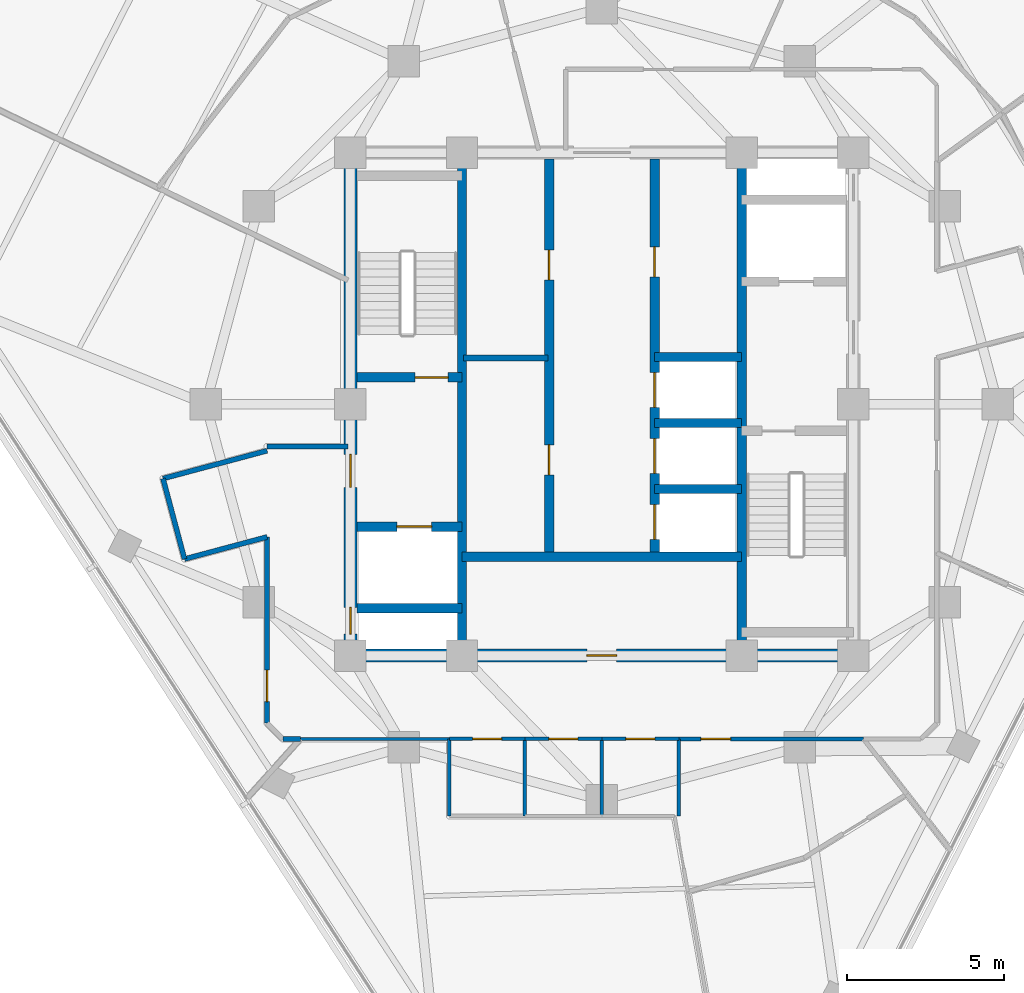
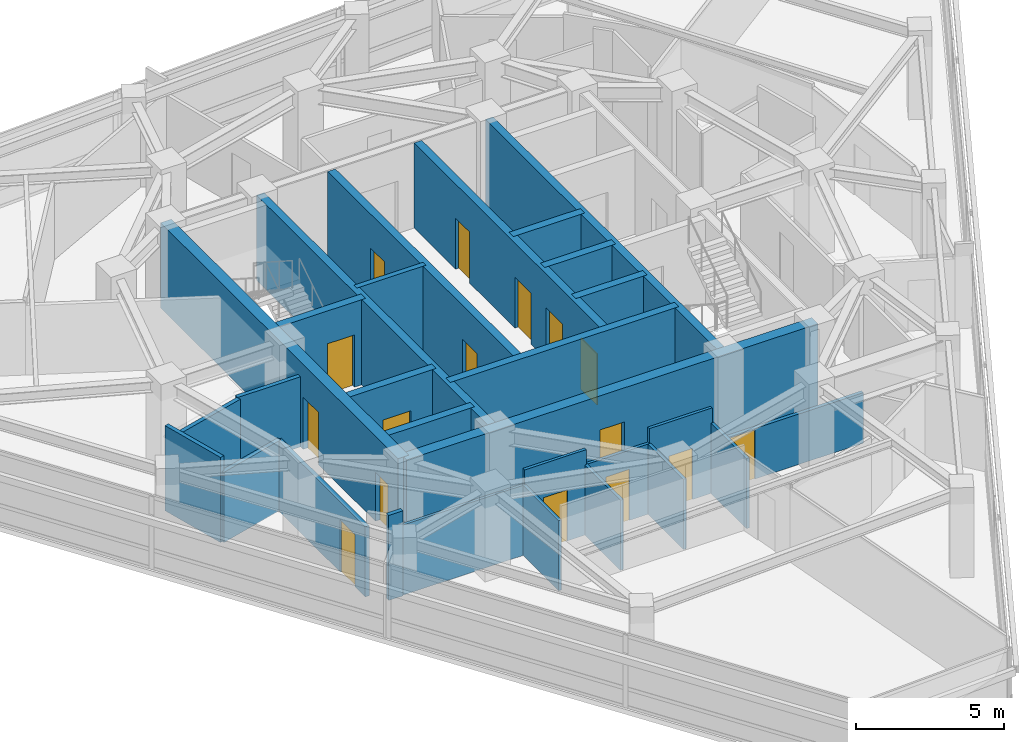
# One storey, part 8 of 15: 29 walls, 16 doors, 16 openings.
"""IFC4 building model written with IfcOpenShell, lengths in metres."""

import ifcopenshell
import ifcopenshell.guid

model = None  # the IFC model being written
_history = None  # IfcOwnerHistory: only IFC2X3 demands one
_inside = {}  # id of a spatial element -> (the spatial element, [elements in it])
_under = {}  # id of a project, library or spatial element -> (it, [spatial elements below it])
_declared = {}  # id of a project -> (the project, [libraries it declares])
_typed = {}  # id of a type object -> (the type object, [elements of that type])
_made_of = {}  # id of a material, layer set ... -> (it, [elements and type objects made of it])


def new_model(schema):
    """Start an empty IFC model of exactly this schema.

    Asked for "IFC4X3", IfcOpenShell would pick the latest addendum, in which some entities
    have other attributes; the version numbers below select the first issue.
    IFC2X3 requires an IfcOwnerHistory on every rooted entity: one is made here for all.
    """
    global model, _history
    if schema == "IFC4X3":
        model = ifcopenshell.file(schema_version=(4, 3, 0, 0))
    else:
        model = ifcopenshell.file(schema=schema)
    _inside.clear()
    _under.clear()
    _declared.clear()
    _typed.clear()
    _made_of.clear()
    _history = None
    if model.schema == "IFC2X3":
        org = make("IfcOrganization", Name="unknown")
        user = make(
            "IfcPersonAndOrganization",
            ThePerson=make("IfcPerson", FamilyName="unknown"),
            TheOrganization=org,
        )
        app = make(
            "IfcApplication",
            ApplicationDeveloper=org,
            Version="unknown",
            ApplicationFullName="unknown",
            ApplicationIdentifier="unknown",
        )
        _history = make(
            "IfcOwnerHistory",
            OwningUser=user,
            OwningApplication=app,
            ChangeAction="ADDED",
            CreationDate=0,
        )
    return model


def make(cls, **values):
    """One entity of the class cls with the attributes given. An attribute that is None is left unset."""
    return model.create_entity(
        cls, **{name: value for name, value in values.items() if value is not None}
    )


def rooted(cls, **values):
    """An entity with a GlobalId (a new one), such as an element, a storey or a relation."""
    return make(cls, GlobalId=ifcopenshell.guid.new(), OwnerHistory=_history, **values)


def si_unit(unit_type, name, prefix=None):
    """IfcSIUnit, for example si_unit("LENGTHUNIT", "METRE", prefix="MILLI")."""
    return make("IfcSIUnit", UnitType=unit_type, Prefix=prefix, Name=name)


def assignment(units):
    """IfcUnitAssignment: the units of a project."""
    return None if units is None else make("IfcUnitAssignment", Units=units)


def point(xyz):
    """IfcCartesianPoint."""
    return None if xyz is None else make("IfcCartesianPoint", Coordinates=xyz)


def direction(xyz):
    """IfcDirection."""
    return None if xyz is None else make("IfcDirection", DirectionRatios=xyz)


def frame(location, z_axis=None, x_axis=None):
    """IfcAxis2Placement3D, a coordinate frame: its origin and axes. An axis left out is left unset."""
    return make(
        "IfcAxis2Placement3D",
        Location=point(location),
        Axis=direction(z_axis),
        RefDirection=direction(x_axis),
    )


def frame_2d(location, x_axis=None):
    """IfcAxis2Placement2D, a coordinate frame in the plane: its origin and x axis."""
    return make(
        "IfcAxis2Placement2D", Location=point(location), RefDirection=direction(x_axis)
    )


def origin():
    """The frame at (0, 0, 0) with its axes left unset."""
    return frame((0.0, 0.0, 0.0))


def place(relative_to, where):
    """IfcLocalPlacement: puts the frame where relative to a parent placement (None: the world)."""
    return make(
        "IfcLocalPlacement", PlacementRelTo=relative_to, RelativePlacement=where
    )


def context(
    kind, dimensions, precision=None, world=None, true_north=None, identifier=None
):
    """IfcGeometricRepresentationContext, for example the 3D "Model" context."""
    return make(
        "IfcGeometricRepresentationContext",
        ContextIdentifier=identifier,
        ContextType=kind,
        CoordinateSpaceDimension=dimensions,
        Precision=precision,
        WorldCoordinateSystem=world,
        TrueNorth=true_north,
    )


def subcontext(parent, identifier, kind, view, scale=None):
    """IfcGeometricRepresentationSubContext, for example "Body" below "Model"."""
    return make(
        "IfcGeometricRepresentationSubContext",
        ContextIdentifier=identifier,
        ContextType=kind,
        ParentContext=parent,
        TargetScale=scale,
        TargetView=view,
    )


def project(units=None, contexts=None):
    """IfcProject with its units and contexts."""
    return rooted(
        "IfcProject",
        Name="project",
        RepresentationContexts=contexts,
        UnitsInContext=assignment(units),
    )


def spatial(cls, under=None, at=None, **own):
    """A site, building, storey or space (cls), placed at a placement, below another one or the project."""
    s = rooted(cls, ObjectPlacement=at, **own)
    if under is not None:
        _under.setdefault(under.id(), (under, []))[1].append(s)
    return s


def profile(cls, at=None, kind="AREA", **sizes):
    """A parametric profile (cls). Its sizes go by their IFC names, for example OverallWidth=200.0."""
    return make(cls, ProfileType=kind, Position=at, **sizes)


def rectangle(**sizes):
    """IfcRectangleProfileDef."""
    return profile("IfcRectangleProfileDef", **sizes)


def extrude(swept, where, along, depth):
    """IfcExtrudedAreaSolid: the profile swept, set in the frame where, extruded along a direction by depth."""
    return make(
        "IfcExtrudedAreaSolid",
        SweptArea=swept,
        Position=where,
        ExtrudedDirection=direction(along),
        Depth=depth,
    )


def shape(context_of_items, identifier, shape_type, items):
    """IfcShapeRepresentation: the items that make up one representation, for example the "Body"."""
    return make(
        "IfcShapeRepresentation",
        ContextOfItems=context_of_items,
        RepresentationIdentifier=identifier,
        RepresentationType=shape_type,
        Items=items,
    )


def material(Name=None, Category=None):
    """IfcMaterial."""
    return make("IfcMaterial", Name=Name, Category=Category)


def layer(
    of_material, thickness, ventilated=None, Name=None, Category=None, Priority=None
):
    """IfcMaterialLayer: one layer of a wall or slab, of a material (None: an air gap)."""
    return make(
        "IfcMaterialLayer",
        Material=of_material,
        LayerThickness=thickness,
        IsVentilated=ventilated,
        Name=Name,
        Category=Category,
        Priority=Priority,
    )


def layer_set(layers, Name=None):
    """IfcMaterialLayerSet."""
    return make("IfcMaterialLayerSet", MaterialLayers=layers, LayerSetName=Name)


def made_of(thing, what):
    """Note that an element or type object is made of a material, layer set ...; save() writes the relation."""
    if what is not None:
        _made_of.setdefault(what.id(), (what, []))[1].append(thing)
    return thing


def type_object(cls, material=None, **own):
    """A type object (cls), such as IfcWallType, which elements share."""
    return made_of(rooted(cls, **own), material)


def element(
    cls,
    number,
    at=None,
    inside=None,
    cuts=None,
    type_object=None,
    material=None,
    context=None,
    identifier="Body",
    shape_type=None,
    held_by="IfcProductDefinitionShape",
    body=None,
    shapes=None,
    **own,
):
    """One element of the class cls, such as IfcWall. Its Tag is "e" and its number.

    at: its placement. inside: the storey or other place that contains it. cuts: it is an
    opening in that element (IfcRelVoidsElement). A single representation is given by context,
    identifier, shape_type and body (its items); several are given by shapes. held_by: the class
    of the entity that holds the representations. save() writes the other relations.
    """
    e = rooted(cls, Tag="e%d" % number, ObjectPlacement=at, **own)
    if body is not None:
        shapes = [shape(context, identifier, shape_type, body)]
    if shapes is not None:
        e.Representation = make(held_by, Representations=shapes)
    if inside is not None:
        _inside.setdefault(inside.id(), (inside, []))[1].append(e)
    if cuts is not None:
        rooted(
            "IfcRelVoidsElement", RelatingBuildingElement=cuts, RelatedOpeningElement=e
        )
    if type_object is not None:
        _typed.setdefault(type_object.id(), (type_object, []))[1].append(e)
    return made_of(e, material)


def fill(opening, filler):
    """IfcRelFillsElement: the door or window that sits in an opening."""
    return rooted(
        "IfcRelFillsElement",
        RelatingOpeningElement=opening,
        RelatedBuildingElement=filler,
    )


def aggregate(whole, parts):
    """IfcRelAggregates: a whole, such as a stair, and the parts it consists of."""
    return rooted("IfcRelAggregates", RelatingObject=whole, RelatedObjects=parts)


def save(model, path):
    """Write the relations noted so far, then the file.

    IfcRelAggregates (storeys below a building ...), IfcRelContainedInSpatialStructure (elements
    in a storey), IfcRelDefinesByType, IfcRelAssociatesMaterial and IfcRelDeclares: one each for
    every whole, place, type object, material and project.
    """
    for whole, parts in _under.values():
        aggregate(whole, parts)
    for where, things in _inside.values():
        rooted(
            "IfcRelContainedInSpatialStructure",
            RelatedElements=things,
            RelatingStructure=where,
        )
    for kind, things in _typed.values():
        rooted("IfcRelDefinesByType", RelatedObjects=things, RelatingType=kind)
    for what, things in _made_of.values():
        rooted("IfcRelAssociatesMaterial", RelatedObjects=things, RelatingMaterial=what)
    for by, libraries in _declared.values():
        rooted("IfcRelDeclares", RelatingContext=by, RelatedDefinitions=libraries)
    model.write(path)


model = new_model("IFC4")

# Units and contexts
model_context = context("Model", 3, precision=1e-05, world=origin(), true_north=direction((0.0, 1.0)))
body_context = subcontext(model_context, "Body", "Model", "MODEL_VIEW")
ifc_project = project(units=[si_unit("LENGTHUNIT", "METRE"), si_unit("AREAUNIT", "SQUARE_METRE"), si_unit("VOLUMEUNIT", "CUBIC_METRE"), si_unit("PLANEANGLEUNIT", "RADIAN"), si_unit("MASSUNIT", "GRAM", prefix="KILO")], contexts=[model_context])

# Site, building, storey
site_placement = place(None, origin())
site = spatial("IfcSite", under=ifc_project, at=site_placement, CompositionType="ELEMENT")
building_placement = place(site_placement, origin())
building = spatial("IfcBuilding", under=site, at=building_placement, Name="Terralouvre Media Tower", CompositionType="ELEMENT")
storey_placement = place(building_placement, frame((0.0, 0.0, 248.5)))
storey = spatial("IfcBuildingStorey", under=building, at=storey_placement, Name="L64", CompositionType="ELEMENT", Elevation=248.5)

# Walls
ifc_material_1 = material(Name="Concrete C50/60", Category="concrete")
ifc_layer_1 = layer(ifc_material_1, 0.300048828125, Name="Core Internal Shaft Wall CW-300")
ifc_layer_set_1 = layer_set([ifc_layer_1], Name="Concrete C50/60")
wall_type_1 = type_object("IfcWallType", Name="Core Internal Shaft Wall CW-300", PredefinedType="SHEAR", material=ifc_layer_set_1)
for number, where, z_axis, x_axis, name in (
    (1, (-4.449951171875, -7.7900390625, 0.0), (0.0, 0.0, 1.0), (0.0, 1.0, 0.0), "L64 Core Shaft Wall SPW"),
    (2, (4.449951171875, -7.7900390625, 0.0), (0.0, 0.0, 1.0), (0.0, 1.0, 0.0), "L64 Core Shaft Wall SPE"),
):
    element("IfcWall", number, at=place(storey_placement, frame(where, z_axis=z_axis, x_axis=x_axis)), inside=storey, type_object=wall_type_1, Name=name, PredefinedType="SHEAR", context=body_context, shape_type="SweptSolid", body=[
        extrude(rectangle(XDim=15.580078125, YDim=0.300048828125, at=frame_2d((7.7900390625, 0.0))), origin(), (0.0, 0.0, 1.0), 3.5),
    ])

# Wall, opening, door
wall_1_placement = place(storey_placement, frame((-7.7900390625, 0.85009765625, 0.0), z_axis=(0.0, 0.0, 1.0), x_axis=(1.0, 0.0, 0.0)))
wall_1 = element("IfcWall", 3, at=wall_1_placement, inside=storey, type_object=wall_type_1, Name="L64 Core Shaft Wall ST1D", PredefinedType="SHEAR", context=body_context, shape_type="SweptSolid", body=[
    extrude(rectangle(XDim=3.340087890625, YDim=0.300048828125, at=frame_2d((1.669921875, 0.0))), origin(), (0.0, 0.0, 1.0), 3.5),
])
opening_1_placement = place(wall_1_placement, frame((1.85009765625, 0.0, 0.0)))
opening_1 = element("IfcOpeningElement", 4, at=opening_1_placement, cuts=wall_1, Name="Opening FD-01-105X215", PredefinedType="OPENING", context=body_context, shape_type="SweptSolid", body=[
    extrude(rectangle(XDim=1.050048828125, YDim=2.14990234375, at=frame_2d((0.52490234375, 1.074951171875))), frame((0.0, 0.159912109375, 0.0), z_axis=(0.0, -1.0, 0.0), x_axis=(1.0, 0.0, 0.0)), (0.0, 0.0, 1.0), 0.320068359375),
])
ifc_material_2 = material(Name="Galvanised steel fire-resisting leaf", Category="steel")
door_type_1 = type_object("IfcDoorType", Name="Stair and Firefighting Lobby Fire Door FD-01 (1050x2150)", OperationType="NOTDEFINED", PredefinedType="DOOR", material=ifc_material_2)
door_1_placement = place(opening_1_placement, origin())
door_1 = element("IfcDoor", 5, at=door_1_placement, inside=storey, type_object=door_type_1, Name="L64 ST-01 Exit Stair Door", OperationType="SINGLE_SWING_LEFT", OverallHeight=2.14990234375, OverallWidth=1.050048828125, PredefinedType="DOOR", context=body_context, shape_type="SweptSolid", body=[
    extrude(rectangle(XDim=1.050048828125, YDim=2.14990234375, at=frame_2d((0.52490234375, 1.074951171875))), frame((0.0, 0.02490234375, 0.0), z_axis=(0.0, -1.0, 0.0), x_axis=(1.0, 0.0, 0.0)), (0.0, 0.0, 1.0), 0.050048828125),
])
fill(opening_1, door_1)

wall_2_placement = place(storey_placement, frame((-7.7900390625, -3.89990234375, 0.0), z_axis=(0.0, 0.0, 1.0), x_axis=(1.0, 0.0, 0.0)))
wall_2 = element("IfcWall", 6, at=wall_2_placement, inside=storey, type_object=wall_type_1, Name="L64 Core Shaft Wall FF1N", PredefinedType="SHEAR", context=body_context, shape_type="SweptSolid", body=[
    extrude(rectangle(XDim=3.340087890625, YDim=0.300048828125, at=frame_2d((1.669921875, 0.0))), origin(), (0.0, 0.0, 1.0), 3.5),
])
opening_2_placement = place(wall_2_placement, frame((1.27001953125, 0.0, 0.0)))
opening_2 = element("IfcOpeningElement", 7, at=opening_2_placement, cuts=wall_2, Name="Opening LD-FF", PredefinedType="OPENING", context=body_context, shape_type="SweptSolid", body=[
    extrude(rectangle(XDim=1.10009765625, YDim=2.10009765625, at=frame_2d((0.550048828125, 1.050048828125))), frame((0.0, 0.159912109375, 0.0), z_axis=(0.0, -1.0, 0.0), x_axis=(1.0, 0.0, 0.0)), (0.0, 0.0, 1.0), 0.320068359375),
])
ifc_material_3 = material(Name="Stainless steel 316 handrail and balustrade", Category="steel")
door_type_2 = type_object("IfcDoorType", Name="Firefighting Lift Sliding Landing Door LD-FF", OperationType="SLIDING_TO_LEFT", PredefinedType="DOOR", material=ifc_material_3)
door_2_placement = place(opening_2_placement, origin())
door_2 = element("IfcDoor", 8, at=door_2_placement, inside=storey, type_object=door_type_2, Name="L64 Firefighting Lift FFL-01 Landing Door", OperationType="SLIDING_TO_LEFT", OverallHeight=2.10009765625, OverallWidth=1.10009765625, PredefinedType="DOOR", context=body_context, shape_type="SweptSolid", body=[
    extrude(rectangle(XDim=1.10009765625, YDim=2.10009765625, at=frame_2d((0.550048828125, 1.050048828125))), frame((0.0, 0.02490234375, 0.0), z_axis=(0.0, -1.0, 0.0), x_axis=(1.0, 0.0, 0.0)), (0.0, 0.0, 1.0), 0.050048828125),
])
fill(opening_2, door_2)

# Walls
wall_3_placement = place(storey_placement, frame((-7.7900390625, -6.5, 0.0), z_axis=(0.0, 0.0, 1.0), x_axis=(1.0, 0.0, 0.0)))
element("IfcWall", 9, at=wall_3_placement, inside=storey, type_object=wall_type_1, Name="L64 Core Shaft Wall FF1S", PredefinedType="SHEAR", context=body_context, shape_type="SweptSolid", body=[
    extrude(rectangle(XDim=3.340087890625, YDim=0.300048828125, at=frame_2d((1.669921875, 0.0))), origin(), (0.0, 0.0, 1.0), 3.5),
])
wall_4_placement = place(storey_placement, frame((-4.449951171875, -4.85009765625, 0.0), z_axis=(0.0, 0.0, 1.0), x_axis=(1.0, 0.0, 0.0)))
element("IfcWall", 10, at=wall_4_placement, inside=storey, type_object=wall_type_1, Name="L64 Core Shaft Wall CSBN", PredefinedType="SHEAR", context=body_context, shape_type="SweptSolid", body=[
    extrude(rectangle(XDim=8.89990234375, YDim=0.300048828125, at=frame_2d((4.449951171875, 0.0))), origin(), (0.0, 0.0, 1.0), 3.5),
])

# Wall, openings, doors
wall_5_placement = place(storey_placement, frame((-1.679931640625, -4.85009765625, 0.0), z_axis=(0.0, 0.0, 1.0), x_axis=(0.0, 1.0, 0.0)))
wall_5 = element("IfcWall", 11, at=wall_5_placement, inside=storey, type_object=wall_type_1, Name="L64 Core Shaft Wall LBW", PredefinedType="SHEAR", context=body_context, shape_type="SweptSolid", body=[
    extrude(rectangle(XDim=12.64013671875, YDim=0.300048828125, at=frame_2d((6.320068359375, 0.0))), origin(), (0.0, 0.0, 1.0), 3.5),
])
opening_3_placement = place(wall_5_placement, frame((2.60009765625, 0.0, 0.0)))
opening_3 = element("IfcOpeningElement", 12, at=opening_3_placement, cuts=wall_5, Name="Opening FD-02-95X210", PredefinedType="OPENING", context=body_context, shape_type="SweptSolid", body=[
    extrude(rectangle(XDim=0.949951171875, YDim=2.10009765625, at=frame_2d((0.47509765625, 1.050048828125))), frame((0.0, 0.159912109375, 0.0), z_axis=(0.0, -1.0, 0.0), x_axis=(1.0, 0.0, 0.0)), (0.0, 0.0, 1.0), 0.320068359375),
])
opening_4_placement = place(wall_5_placement, frame((8.800048828125, 0.0, 0.0)))
opening_4 = element("IfcOpeningElement", 13, at=opening_4_placement, cuts=wall_5, Name="Opening FD-04-95X210", PredefinedType="OPENING", context=body_context, shape_type="SweptSolid", body=[
    extrude(rectangle(XDim=0.949951171875, YDim=2.10009765625, at=frame_2d((0.47509765625, 1.050048828125))), frame((0.0, 0.159912109375, 0.0), z_axis=(0.0, -1.0, 0.0), x_axis=(1.0, 0.0, 0.0)), (0.0, 0.0, 1.0), 0.320068359375),
])
ifc_material_4 = material(Name="Galvanised steel fire-resisting leaf", Category="steel")
door_type_3 = type_object("IfcDoorType", Name="Core Store and Service Fire Door FD-04 (950x2100)", OperationType="NOTDEFINED", PredefinedType="DOOR", material=ifc_material_4)
door_3_placement = place(opening_4_placement, origin())
door_3 = element("IfcDoor", 14, at=door_3_placement, inside=storey, type_object=door_type_3, Name="L64 Core Linen Store Door", OperationType="SINGLE_SWING_RIGHT", OverallHeight=2.10009765625, OverallWidth=0.949951171875, PredefinedType="DOOR", context=body_context, shape_type="SweptSolid", body=[
    extrude(rectangle(XDim=0.949951171875, YDim=2.10009765625, at=frame_2d((0.47509765625, 1.050048828125))), frame((0.0, 0.02490234375, 0.0), z_axis=(0.0, -1.0, 0.0), x_axis=(1.0, 0.0, 0.0)), (0.0, 0.0, 1.0), 0.050048828125),
])
fill(opening_4, door_3)
ifc_material_5 = material(Name="Galvanised steel fire-resisting leaf", Category="steel")
door_type_4 = type_object("IfcDoorType", Name="Plant and Riser Fire Door FD-02 (950x2100)", OperationType="NOTDEFINED", PredefinedType="DOOR", material=ifc_material_5)
door_4_placement = place(opening_3_placement, origin())
door_4 = element("IfcDoor", 15, at=door_4_placement, inside=storey, type_object=door_type_4, Name="L64 Core Fibre Patch Plant Door", OperationType="SINGLE_SWING_LEFT", OverallHeight=2.10009765625, OverallWidth=0.949951171875, PredefinedType="DOOR", context=body_context, shape_type="SweptSolid", body=[
    extrude(rectangle(XDim=0.949951171875, YDim=2.10009765625, at=frame_2d((0.47509765625, 1.050048828125))), frame((0.0, 0.02490234375, 0.0), z_axis=(0.0, -1.0, 0.0), x_axis=(1.0, 0.0, 0.0)), (0.0, 0.0, 1.0), 0.050048828125),
])
fill(opening_3, door_4)

wall_6_placement = place(storey_placement, frame((1.679931640625, -4.85009765625, 0.0), z_axis=(0.0, 0.0, 1.0), x_axis=(0.0, 1.0, 0.0)))
wall_6 = element("IfcWall", 16, at=wall_6_placement, inside=storey, type_object=wall_type_1, Name="L64 Core Shaft Wall LBE", PredefinedType="SHEAR", context=body_context, shape_type="SweptSolid", body=[
    extrude(rectangle(XDim=12.64013671875, YDim=0.300048828125, at=frame_2d((6.320068359375, 0.0))), origin(), (0.0, 0.0, 1.0), 3.5),
])
opening_5_placement = place(wall_6_placement, frame((0.550048828125, 0.0, 0.0)))
opening_5 = element("IfcOpeningElement", 17, at=opening_5_placement, cuts=wall_6, Name="Opening LD-PL", PredefinedType="OPENING", context=body_context, shape_type="SweptSolid", body=[
    extrude(rectangle(XDim=1.10009765625, YDim=2.10009765625, at=frame_2d((0.550048828125, 1.050048828125))), frame((0.0, 0.159912109375, 0.0), z_axis=(0.0, -1.0, 0.0), x_axis=(1.0, 0.0, 0.0)), (0.0, 0.0, 1.0), 0.320068359375),
])
opening_6_placement = place(wall_6_placement, frame((2.64990234375, 0.0, 0.0)))
opening_6 = element("IfcOpeningElement", 18, at=opening_6_placement, cuts=wall_6, Name="Opening LD-PL", PredefinedType="OPENING", context=body_context, shape_type="SweptSolid", body=[
    extrude(rectangle(XDim=1.10009765625, YDim=2.10009765625, at=frame_2d((0.550048828125, 1.050048828125))), frame((0.0, 0.159912109375, 0.0), z_axis=(0.0, -1.0, 0.0), x_axis=(1.0, 0.0, 0.0)), (0.0, 0.0, 1.0), 0.320068359375),
])
opening_7_placement = place(wall_6_placement, frame((4.75, 0.0, 0.0)))
opening_7 = element("IfcOpeningElement", 19, at=opening_7_placement, cuts=wall_6, Name="Opening LD-PL", PredefinedType="OPENING", context=body_context, shape_type="SweptSolid", body=[
    extrude(rectangle(XDim=1.10009765625, YDim=2.10009765625, at=frame_2d((0.550048828125, 1.050048828125))), frame((0.0, 0.159912109375, 0.0), z_axis=(0.0, -1.0, 0.0), x_axis=(1.0, 0.0, 0.0)), (0.0, 0.0, 1.0), 0.320068359375),
])
opening_8_placement = place(wall_6_placement, frame((8.89990234375, 0.0, 0.0)))
opening_8 = element("IfcOpeningElement", 20, at=opening_8_placement, cuts=wall_6, Name="Opening FD-02-95X210", PredefinedType="OPENING", context=body_context, shape_type="SweptSolid", body=[
    extrude(rectangle(XDim=0.949951171875, YDim=2.10009765625, at=frame_2d((0.47509765625, 1.050048828125))), frame((0.0, 0.159912109375, 0.0), z_axis=(0.0, -1.0, 0.0), x_axis=(1.0, 0.0, 0.0)), (0.0, 0.0, 1.0), 0.320068359375),
])
ifc_material_6 = material(Name="Stainless steel 316 handrail and balustrade", Category="steel")
door_type_5 = type_object("IfcDoorType", Name="Passenger Lift Sliding Landing Door LD-PL", OperationType="SLIDING_TO_LEFT", PredefinedType="DOOR", material=ifc_material_6)
door_5_placement = place(opening_5_placement, origin())
door_5 = element("IfcDoor", 21, at=door_5_placement, inside=storey, type_object=door_type_5, Name="L64 High-Rise Lift PL-H1 Landing Door", OperationType="SLIDING_TO_LEFT", OverallHeight=2.10009765625, OverallWidth=1.10009765625, PredefinedType="DOOR", context=body_context, shape_type="SweptSolid", body=[
    extrude(rectangle(XDim=1.10009765625, YDim=2.10009765625, at=frame_2d((0.550048828125, 1.050048828125))), frame((0.0, 0.02490234375, 0.0), z_axis=(0.0, -1.0, 0.0), x_axis=(1.0, 0.0, 0.0)), (0.0, 0.0, 1.0), 0.050048828125),
])
fill(opening_5, door_5)
door_6_placement = place(opening_6_placement, origin())
door_6 = element("IfcDoor", 22, at=door_6_placement, inside=storey, type_object=door_type_5, Name="L64 High-Rise Lift PL-H2 Landing Door", OperationType="SLIDING_TO_LEFT", OverallHeight=2.10009765625, OverallWidth=1.10009765625, PredefinedType="DOOR", context=body_context, shape_type="SweptSolid", body=[
    extrude(rectangle(XDim=1.10009765625, YDim=2.10009765625, at=frame_2d((0.550048828125, 1.050048828125))), frame((0.0, 0.02490234375, 0.0), z_axis=(0.0, -1.0, 0.0), x_axis=(1.0, 0.0, 0.0)), (0.0, 0.0, 1.0), 0.050048828125),
])
fill(opening_6, door_6)
door_7_placement = place(opening_7_placement, origin())
door_7 = element("IfcDoor", 23, at=door_7_placement, inside=storey, type_object=door_type_5, Name="L64 High-Rise Lift PL-H3 Landing Door", OperationType="SLIDING_TO_LEFT", OverallHeight=2.10009765625, OverallWidth=1.10009765625, PredefinedType="DOOR", context=body_context, shape_type="SweptSolid", body=[
    extrude(rectangle(XDim=1.10009765625, YDim=2.10009765625, at=frame_2d((0.550048828125, 1.050048828125))), frame((0.0, 0.02490234375, 0.0), z_axis=(0.0, -1.0, 0.0), x_axis=(1.0, 0.0, 0.0)), (0.0, 0.0, 1.0), 0.050048828125),
])
fill(opening_7, door_7)
door_8_placement = place(opening_8_placement, origin())
door_8 = element("IfcDoor", 24, at=door_8_placement, inside=storey, type_object=door_type_4, Name="L64 Core AHU Sub-Plant Door", OperationType="SINGLE_SWING_LEFT", OverallHeight=2.10009765625, OverallWidth=0.949951171875, PredefinedType="DOOR", context=body_context, shape_type="SweptSolid", body=[
    extrude(rectangle(XDim=0.949951171875, YDim=2.10009765625, at=frame_2d((0.47509765625, 1.050048828125))), frame((0.0, 0.02490234375, 0.0), z_axis=(0.0, -1.0, 0.0), x_axis=(1.0, 0.0, 0.0)), (0.0, 0.0, 1.0), 0.050048828125),
])
fill(opening_8, door_8)

# Walls
for number, where, z_axis, x_axis, name in (
    (25, (1.679931640625, 1.5, 0.0), (0.0, 0.0, 1.0), (1.0, 0.0, 0.0), "L64 Core Shaft Wall PLMBOT"),
    (26, (1.679931640625, -2.699951171875, 0.0), (0.0, 0.0, 1.0), (1.0, 0.0, 0.0), "L64 Core Shaft Wall PLHD1"),
    (27, (1.679931640625, -0.60009765625, 0.0), (0.0, 0.0, 1.0), (1.0, 0.0, 0.0), "L64 Core Shaft Wall PLHD2"),
):
    element("IfcWall", number, at=place(storey_placement, frame(where, z_axis=z_axis, x_axis=x_axis)), inside=storey, type_object=wall_type_1, Name=name, PredefinedType="SHEAR", context=body_context, shape_type="SweptSolid", body=[
        extrude(rectangle(XDim=2.77001953125, YDim=0.300048828125, at=frame_2d((1.385009765625, 0.0))), origin(), (0.0, 0.0, 1.0), 3.5),
    ])

# Wall, openings, doors
ifc_material_7 = material(Name="Concrete C60/75", Category="concrete")
ifc_layer_2 = layer(ifc_material_7, 0.419921875, Name="Core Reinforced Concrete Shear Wall CW-420")
ifc_layer_set_2 = layer_set([ifc_layer_2], Name="Concrete C60/75")
wall_type_2 = type_object("IfcWallType", Name="Core Reinforced Concrete Shear Wall CW-420", PredefinedType="SHEAR", material=ifc_layer_set_2)
wall_7_placement = place(storey_placement, frame((-8.0, -8.0, 0.0), z_axis=(0.0, 0.0, 1.0), x_axis=(0.0, 1.0, 0.0)))
wall_7 = element("IfcWall", 28, at=wall_7_placement, inside=storey, type_object=wall_type_2, Name="L64 W Core Shear Wall", PredefinedType="SHEAR", context=body_context, shape_type="SweptSolid", body=[
    extrude(rectangle(XDim=16.0, YDim=0.419921875, at=frame_2d((8.0, 0.0))), origin(), (0.0, 0.0, 1.0), 3.5),
])
opening_9_placement = place(wall_7_placement, frame((0.68115234375, 0.0, 0.0)))
opening_9 = element("IfcOpeningElement", 29, at=opening_9_placement, cuts=wall_7, Name="Opening TD-R1", PredefinedType="OPENING", context=body_context, shape_type="SweptSolid", body=[
    extrude(rectangle(XDim=0.85009765625, YDim=2.02001953125, at=frame_2d((0.425048828125, 1.010009765625))), frame((0.0, 0.219970703125, 0.0), z_axis=(0.0, -1.0, 0.0), x_axis=(1.0, 0.0, 0.0)), (0.0, 0.0, 1.0), 0.43994140625),
])
opening_10_placement = place(wall_7_placement, frame((5.35009765625, 0.0, 0.0)))
opening_10 = element("IfcOpeningElement", 30, at=opening_10_placement, cuts=wall_7, Name="Opening FD-01-105X215", PredefinedType="OPENING", context=body_context, shape_type="SweptSolid", body=[
    extrude(rectangle(XDim=1.050048828125, YDim=2.14990234375, at=frame_2d((0.52490234375, 1.074951171875))), frame((0.0, 0.219970703125, 0.0), z_axis=(0.0, -1.0, 0.0), x_axis=(1.0, 0.0, 0.0)), (0.0, 0.0, 1.0), 0.43994140625),
])
ifc_material_8 = material(Name="Galvanised steel fire-resisting leaf", Category="steel")
door_type_6 = type_object("IfcDoorType", Name="Riser Inspection Access Trapdoor TD-R1", OperationType="NOTDEFINED", PredefinedType="TRAPDOOR", material=ifc_material_8)
door_9_placement = place(opening_9_placement, origin())
door_9 = element("IfcDoor", 31, at=door_9_placement, inside=storey, type_object=door_type_6, Name="L64 Wet Riser Access Trapdoor", OperationType="SINGLE_SWING_LEFT", OverallHeight=2.02001953125, OverallWidth=0.85009765625, PredefinedType="TRAPDOOR", context=body_context, shape_type="SweptSolid", body=[
    extrude(rectangle(XDim=0.85009765625, YDim=2.02001953125, at=frame_2d((0.425048828125, 1.010009765625))), frame((0.0, 0.02490234375, 0.0), z_axis=(0.0, -1.0, 0.0), x_axis=(1.0, 0.0, 0.0)), (0.0, 0.0, 1.0), 0.050048828125),
])
fill(opening_9, door_9)
door_10_placement = place(opening_10_placement, origin())
door_10 = element("IfcDoor", 32, at=door_10_placement, inside=storey, type_object=door_type_1, Name="L64 West Firefighting Lobby Entry Door", OperationType="SINGLE_SWING_RIGHT", OverallHeight=2.14990234375, OverallWidth=1.050048828125, PredefinedType="DOOR", context=body_context, shape_type="SweptSolid", body=[
    extrude(rectangle(XDim=1.050048828125, YDim=2.14990234375, at=frame_2d((0.52490234375, 1.074951171875))), frame((0.0, 0.02490234375, 0.0), z_axis=(0.0, -1.0, 0.0), x_axis=(1.0, 0.0, 0.0)), (0.0, 0.0, 1.0), 0.050048828125),
])
fill(opening_10, door_10)

# Wall, opening, door
wall_8_placement = place(storey_placement, frame((-8.0, -8.0, 0.0), z_axis=(0.0, 0.0, 1.0), x_axis=(1.0, 0.0, 0.0)))
wall_8 = element("IfcWall", 33, at=wall_8_placement, inside=storey, type_object=wall_type_2, Name="L64 S Core Shear Wall", PredefinedType="SHEAR", context=body_context, shape_type="SweptSolid", body=[
    extrude(rectangle(XDim=16.0, YDim=0.419921875, at=frame_2d((8.0, 0.0))), origin(), (0.0, 0.0, 1.0), 3.5),
])
opening_11_placement = place(wall_8_placement, frame((7.52001953125, 0.0, 0.0)))
opening_11 = element("IfcOpeningElement", 34, at=opening_11_placement, cuts=wall_8, Name="Opening FD-02-95X210", PredefinedType="OPENING", context=body_context, shape_type="SweptSolid", body=[
    extrude(rectangle(XDim=0.949951171875, YDim=2.10009765625, at=frame_2d((0.47509765625, 1.050048828125))), frame((0.0, 0.219970703125, 0.0), z_axis=(0.0, -1.0, 0.0), x_axis=(1.0, 0.0, 0.0)), (0.0, 0.0, 1.0), 0.43994140625),
])
door_11_placement = place(opening_11_placement, origin())
door_11 = element("IfcDoor", 35, at=door_11_placement, inside=storey, type_object=door_type_4, Name="L64 Core Switchgear Plant Door", OperationType="SINGLE_SWING_LEFT", OverallHeight=2.10009765625, OverallWidth=0.949951171875, PredefinedType="DOOR", context=body_context, shape_type="SweptSolid", body=[
    extrude(rectangle(XDim=0.949951171875, YDim=2.10009765625, at=frame_2d((0.47509765625, 1.050048828125))), frame((0.0, 0.02490234375, 0.0), z_axis=(0.0, -1.0, 0.0), x_axis=(1.0, 0.0, 0.0)), (0.0, 0.0, 1.0), 0.050048828125),
])
fill(opening_11, door_11)

# Walls
ifc_material_9 = material(Name="Low-iron laminated double glazing with solar-control coating", Category="glass")
ifc_layer_3 = layer(ifc_material_9, 0.10009765625, Name="Demountable Glazed Office Partition PT-GL100")
ifc_layer_set_3 = layer_set([ifc_layer_3], Name="Low-iron laminated double glazing with solar-control coating")
wall_type_3 = type_object("IfcWallType", Name="Demountable Glazed Office Partition PT-GL100", PredefinedType="MOVABLE", material=ifc_layer_set_3)
wall_9_placement = place(storey_placement, frame((-9.589111328125, -10.64990234375, 0.0), z_axis=(0.0, 0.0, 1.0), x_axis=(1.0, 0.0, 0.0)))
element("IfcWall", 36, at=wall_9_placement, inside=storey, type_object=wall_type_3, Name="L64 Interior Partition 014", PredefinedType="MOVABLE", context=body_context, shape_type="SweptSolid", body=[
    extrude(rectangle(XDim=4.739013671875, YDim=0.10009765625, at=frame_2d((2.36962890625, 0.0))), origin(), (0.0, 0.0, 1.0), 2.885009765625),
])
ifc_material_10 = material(Name="Fire-rated gypsum board drywall partition")
ifc_layer_4 = layer(ifc_material_10, 0.199951171875, Name="Fire-Rated Shaft and Lobby Partition FW-200")
ifc_layer_set_4 = layer_set([ifc_layer_4], Name="Fire-rated gypsum board drywall partition")
wall_type_4 = type_object("IfcWallType", Name="Fire-Rated Shaft and Lobby Partition FW-200", PredefinedType="SOLIDWALL", material=ifc_layer_set_4)
wall_10_placement = place(storey_placement, frame((-4.39990234375, 1.469970703125, 0.0), z_axis=(0.0, 0.0, 1.0), x_axis=(1.0, 0.0, 0.0)))
element("IfcWall", 37, at=wall_10_placement, inside=storey, type_object=wall_type_4, Name="L64 Core West Sub-Partition 1", PredefinedType="SOLIDWALL", context=body_context, shape_type="SweptSolid", body=[
    extrude(rectangle(XDim=2.679931640625, YDim=0.199951171875, at=frame_2d((1.33984375, 0.0))), origin(), (0.0, 0.0, 1.0), 3.5),
])

# Wall, opening, door
ifc_material_11 = material(Name="Fire-rated gypsum board drywall partition")
ifc_layer_5 = layer(ifc_material_11, 0.135009765625, Name="Newsroom Acoustic Partition PT-135")
ifc_layer_set_5 = layer_set([ifc_layer_5], Name="Fire-rated gypsum board drywall partition")
wall_type_5 = type_object("IfcWallType", Name="Newsroom Acoustic Partition PT-135", PredefinedType="PARTITIONING", material=ifc_layer_set_5)
wall_11_placement = place(storey_placement, frame((2.449951171875, -10.64990234375, 0.0), z_axis=(0.0, 0.0, 1.0), x_axis=(1.0, 0.0, 0.0)))
wall_11 = element("IfcWall", 38, at=wall_11_placement, inside=storey, type_object=wall_type_5, Name="L64 Interior Partition 017", PredefinedType="PARTITIONING", context=body_context, shape_type="SweptSolid", body=[
    extrude(rectangle(XDim=5.87109375, YDim=0.135009765625, at=frame_2d((2.935546875, 0.0))), origin(), (0.0, 0.0, 1.0), 2.074951171875),
])
opening_12_placement = place(wall_11_placement, frame((0.69921875, 0.0, 0.0)))
opening_12 = element("IfcOpeningElement", 39, at=opening_12_placement, cuts=wall_11, Name="Opening ID-02-95X205", PredefinedType="OPENING", context=body_context, shape_type="SweptSolid", body=[
    extrude(rectangle(XDim=0.949951171875, YDim=2.02490234375, at=frame_2d((0.47509765625, 1.012451171875))), frame((0.0, 0.077392578125, 0.0), z_axis=(0.0, -1.0, 0.0), x_axis=(1.0, 0.0, 0.0)), (0.0, 0.0, 1.0), 0.155029296875),
])
ifc_material_12 = material(Name="Engineered hardwood acoustic timber leaf", Category="wood")
door_type_7 = type_object("IfcDoorType", Name="Office and Meeting Room Door ID-02 (950x2055)", OperationType="NOTDEFINED", PredefinedType="DOOR", material=ifc_material_12)
door_12_placement = place(opening_12_placement, origin())
door_12 = element("IfcDoor", 40, at=door_12_placement, inside=storey, type_object=door_type_7, Name="L64 Book Review Reading Study 5 Door", OperationType="SINGLE_SWING_LEFT", OverallHeight=2.02490234375, OverallWidth=0.949951171875, PredefinedType="DOOR", context=body_context, shape_type="SweptSolid", body=[
    extrude(rectangle(XDim=0.949951171875, YDim=2.02490234375, at=frame_2d((0.47509765625, 1.012451171875))), frame((0.0, 0.02490234375, 0.0), z_axis=(0.0, -1.0, 0.0), x_axis=(1.0, 0.0, 0.0)), (0.0, 0.0, 1.0), 0.050048828125),
])
fill(opening_12, door_12)

ifc_material_13 = material(Name="Fire-rated gypsum board drywall partition")
ifc_layer_6 = layer(ifc_material_13, 0.114990234375, Name="Restroom and Pantry Partition PT-115")
ifc_layer_set_6 = layer_set([ifc_layer_6], Name="Fire-rated gypsum board drywall partition")
wall_type_6 = type_object("IfcWallType", Name="Restroom and Pantry Partition PT-115", PredefinedType="PARTITIONING", material=ifc_layer_set_6)
wall_12_placement = place(storey_placement, frame((-4.85009765625, -10.64990234375, 0.0), z_axis=(0.0, 0.0, 1.0), x_axis=(1.0, 0.0, 0.0)))
wall_12 = element("IfcWall", 41, at=wall_12_placement, inside=storey, type_object=wall_type_6, Name="L64 Interior Partition 013", PredefinedType="PARTITIONING", context=body_context, shape_type="SweptSolid", body=[
    extrude(rectangle(XDim=2.400146484375, YDim=0.114990234375, at=frame_2d((1.2001953125, 0.0))), origin(), (0.0, 0.0, 1.0), 3.5),
])
opening_13_placement = place(wall_12_placement, frame((0.739990234375, 0.0, 0.0)))
opening_13 = element("IfcOpeningElement", 42, at=opening_13_placement, cuts=wall_12, Name="Opening ID-03-92X210", PredefinedType="OPENING", context=body_context, shape_type="SweptSolid", body=[
    extrude(rectangle(XDim=0.919921875, YDim=2.10009765625, at=frame_2d((0.4599609375, 1.050048828125))), frame((0.0, 0.0673828125, 0.0), z_axis=(0.0, -1.0, 0.0), x_axis=(1.0, 0.0, 0.0)), (0.0, 0.0, 1.0), 0.135009765625),
])
ifc_material_14 = material(Name="Engineered hardwood acoustic timber leaf", Category="wood")
door_type_8 = type_object("IfcDoorType", Name="Accessible Restroom and Suite Door ID-03 (920x2100)", OperationType="NOTDEFINED", PredefinedType="DOOR", material=ifc_material_14)
door_13_placement = place(opening_13_placement, origin())
door_13 = element("IfcDoor", 43, at=door_13_placement, inside=storey, type_object=door_type_8, Name="L64 Male Restroom WC Door", OperationType="SINGLE_SWING_RIGHT", OverallHeight=2.10009765625, OverallWidth=0.919921875, PredefinedType="DOOR", context=body_context, shape_type="SweptSolid", body=[
    extrude(rectangle(XDim=0.919921875, YDim=2.10009765625, at=frame_2d((0.4599609375, 1.050048828125))), frame((0.0, 0.02490234375, 0.0), z_axis=(0.0, -1.0, 0.0), x_axis=(1.0, 0.0, 0.0)), (0.0, 0.0, 1.0), 0.050048828125),
])
fill(opening_13, door_13)

wall_13_placement = place(storey_placement, frame((-2.449951171875, -10.64990234375, 0.0), z_axis=(0.0, 0.0, 1.0), x_axis=(1.0, 0.0, 0.0)))
wall_13 = element("IfcWall", 44, at=wall_13_placement, inside=storey, type_object=wall_type_6, Name="L64 Interior Partition 015", PredefinedType="PARTITIONING", context=body_context, shape_type="SweptSolid", body=[
    extrude(rectangle(XDim=2.449951171875, YDim=0.114990234375, at=frame_2d((1.22509765625, 0.0))), origin(), (0.0, 0.0, 1.0), 2.885009765625),
])
opening_14_placement = place(wall_13_placement, frame((0.764892578125, 0.0, 0.0)))
opening_14 = element("IfcOpeningElement", 45, at=opening_14_placement, cuts=wall_13, Name="Opening ID-03-92X210", PredefinedType="OPENING", context=body_context, shape_type="SweptSolid", body=[
    extrude(rectangle(XDim=0.919921875, YDim=2.10009765625, at=frame_2d((0.4599609375, 1.050048828125))), frame((0.0, 0.0673828125, 0.0), z_axis=(0.0, -1.0, 0.0), x_axis=(1.0, 0.0, 0.0)), (0.0, 0.0, 1.0), 0.135009765625),
])
door_14_placement = place(opening_14_placement, origin())
door_14 = element("IfcDoor", 46, at=door_14_placement, inside=storey, type_object=door_type_8, Name="L64 Female Restroom WC Door", OperationType="SINGLE_SWING_LEFT", OverallHeight=2.10009765625, OverallWidth=0.919921875, PredefinedType="DOOR", context=body_context, shape_type="SweptSolid", body=[
    extrude(rectangle(XDim=0.919921875, YDim=2.10009765625, at=frame_2d((0.4599609375, 1.050048828125))), frame((0.0, 0.02490234375, 0.0), z_axis=(0.0, -1.0, 0.0), x_axis=(1.0, 0.0, 0.0)), (0.0, 0.0, 1.0), 0.050048828125),
])
fill(opening_14, door_14)

wall_14_placement = place(storey_placement, frame((0.0, -10.64990234375, 0.0), z_axis=(0.0, 0.0, 1.0), x_axis=(1.0, 0.0, 0.0)))
wall_14 = element("IfcWall", 47, at=wall_14_placement, inside=storey, type_object=wall_type_6, Name="L64 Interior Partition 016", PredefinedType="PARTITIONING", context=body_context, shape_type="SweptSolid", body=[
    extrude(rectangle(XDim=2.449951171875, YDim=0.114990234375, at=frame_2d((1.22509765625, 0.0))), origin(), (0.0, 0.0, 1.0), 3.5),
])
opening_15_placement = place(wall_14_placement, frame((0.764892578125, 0.0, 0.0)))
opening_15 = element("IfcOpeningElement", 48, at=opening_15_placement, cuts=wall_14, Name="Opening ID-03-92X210", PredefinedType="OPENING", context=body_context, shape_type="SweptSolid", body=[
    extrude(rectangle(XDim=0.919921875, YDim=2.10009765625, at=frame_2d((0.4599609375, 1.050048828125))), frame((0.0, 0.0673828125, 0.0), z_axis=(0.0, -1.0, 0.0), x_axis=(1.0, 0.0, 0.0)), (0.0, 0.0, 1.0), 0.135009765625),
])
door_15_placement = place(opening_15_placement, origin())
door_15 = element("IfcDoor", 49, at=door_15_placement, inside=storey, type_object=door_type_8, Name="L64 Accessible Unisex WC Door", OperationType="SINGLE_SWING_RIGHT", OverallHeight=2.10009765625, OverallWidth=0.919921875, PredefinedType="DOOR", context=body_context, shape_type="SweptSolid", body=[
    extrude(rectangle(XDim=0.919921875, YDim=2.10009765625, at=frame_2d((0.4599609375, 1.050048828125))), frame((0.0, 0.02490234375, 0.0), z_axis=(0.0, -1.0, 0.0), x_axis=(1.0, 0.0, 0.0)), (0.0, 0.0, 1.0), 0.050048828125),
])
fill(opening_15, door_15)

# Walls
for number, where, z_axis, x_axis, name in (
    (50, (-4.85009765625, -10.64990234375, 0.0), (0.0, 0.0, 1.0), (0.0, -1.0, 0.0), "L64 Interior Partition 034"),
    (51, (-2.449951171875, -13.10009765625, 0.0), (0.0, 0.0, 1.0), (0.0, 1.0, 0.0), "L64 Interior Partition 036"),
    (52, (0.0, -13.10009765625, 0.0), (0.0, 0.0, 1.0), (0.0, 1.0, 0.0), "L64 Interior Partition 041"),
    (53, (2.449951171875, -13.10009765625, 0.0), (0.0, 0.0, 1.0), (0.0, 1.0, 0.0), "L64 Interior Partition 042"),
):
    element("IfcWall", number, at=place(storey_placement, frame(where, z_axis=z_axis, x_axis=x_axis)), inside=storey, type_object=wall_type_6, Name=name, PredefinedType="PARTITIONING", context=body_context, shape_type="SweptSolid", body=[
        extrude(rectangle(XDim=2.4501953125, YDim=0.114990234375, at=frame_2d((1.22509765625, 0.0))), origin(), (0.0, 0.0, 1.0), 2.885009765625),
    ])
ifc_material_15 = material(Name="Fire-rated gypsum board drywall partition")
ifc_layer_7 = layer(ifc_material_15, 0.159912109375, Name="Studio Acoustic Rated Partition PT-160")
ifc_layer_set_7 = layer_set([ifc_layer_7], Name="Fire-rated gypsum board drywall partition")
wall_type_7 = type_object("IfcWallType", Name="Studio Acoustic Rated Partition PT-160", PredefinedType="PARTITIONING", material=ifc_layer_set_7)
wall_15_placement = place(storey_placement, frame((-8.080078125, -1.35009765625, 0.0), z_axis=(0.0, 0.0, 1.0), x_axis=(-1.0, 0.0, 0.0)))
element("IfcWall", 54, at=wall_15_placement, inside=storey, type_object=wall_type_7, Name="L64 Interior Partition 001", PredefinedType="PARTITIONING", context=body_context, shape_type="SweptSolid", body=[
    extrude(rectangle(XDim=2.56982421875, YDim=0.159912109375, at=frame_2d((1.284912109375, 0.0))), origin(), (0.0, 0.0, 1.0), 2.885009765625),
])
wall_16_placement = place(storey_placement, frame((-10.64990234375, -1.48193359375, 0.0), z_axis=(0.0, 0.0, 1.0), x_axis=(-0.965961397105, -0.2586862565, 0.0)))
element("IfcWall", 55, at=wall_16_placement, inside=storey, type_object=wall_type_7, Name="L64 Interior Partition 002", PredefinedType="PARTITIONING", context=body_context, shape_type="SweptSolid", body=[
    extrude(rectangle(XDim=3.4287109375, YDim=0.159912109375, at=frame_2d((1.71435546875, 0.0))), origin(), (0.0, 0.0, 1.0), 2.885009765625),
])
wall_17_placement = place(storey_placement, frame((-13.9619140625, -2.368896484375, 0.0), z_axis=(0.0, 0.0, 1.0), x_axis=(0.258413725385, -0.966034340245, 0.0)))
element("IfcWall", 56, at=wall_17_placement, inside=storey, type_object=wall_type_7, Name="L64 Interior Partition 003", PredefinedType="PARTITIONING", context=body_context, shape_type="SweptSolid", body=[
    extrude(rectangle(XDim=2.650146484375, YDim=0.159912109375, at=frame_2d((1.3251953125, 0.0))), origin(), (0.0, 0.0, 1.0), 3.5),
])
wall_18_placement = place(storey_placement, frame((-13.277099609375, -4.928955078125, 0.0), z_axis=(0.0, 0.0, 1.0), x_axis=(0.965934830229, 0.258785439601, 0.0)))
element("IfcWall", 57, at=wall_18_placement, inside=storey, type_object=wall_type_7, Name="L64 Interior Partition 004", PredefinedType="PARTITIONING", context=body_context, shape_type="SweptSolid", body=[
    extrude(rectangle(XDim=2.719970703125, YDim=0.159912109375, at=frame_2d((1.35986328125, 0.0))), origin(), (0.0, 0.0, 1.0), 2.885009765625),
])

# Wall, opening, door
wall_19_placement = place(storey_placement, frame((-10.64990234375, -4.22509765625, 0.0), z_axis=(0.0, 0.0, 1.0), x_axis=(0.0, -1.0, 0.0)))
wall_19 = element("IfcWall", 58, at=wall_19_placement, inside=storey, type_object=wall_type_7, Name="L64 Interior Partition 005", PredefinedType="PARTITIONING", context=body_context, shape_type="SweptSolid", body=[
    extrude(rectangle(XDim=5.9248046875, YDim=0.159912109375, at=frame_2d((2.96240234375, 0.0))), origin(), (0.0, 0.0, 1.0), 2.885009765625),
])
opening_16_placement = place(wall_19_placement, frame((4.239990234375, 0.0, 0.0)))
opening_16 = element("IfcOpeningElement", 59, at=opening_16_placement, cuts=wall_19, Name="Opening ID-01-100X215", PredefinedType="OPENING", context=body_context, shape_type="SweptSolid", body=[
    extrude(rectangle(XDim=1.0, YDim=2.14990234375, at=frame_2d((0.5, 1.074951171875))), frame((0.0, 0.08984375, 0.0), z_axis=(0.0, -1.0, 0.0), x_axis=(1.0, 0.0, 0.0)), (0.0, 0.0, 1.0), 0.179931640625),
])
ifc_material_16 = material(Name="Engineered hardwood acoustic timber leaf", Category="wood")
door_type_9 = type_object("IfcDoorType", Name="Broadcast Studio Acoustic Single Door ID-01 (1000x2150)", OperationType="NOTDEFINED", PredefinedType="DOOR", material=ifc_material_16)
door_16_placement = place(opening_16_placement, origin())
door_16 = element("IfcDoor", 60, at=door_16_placement, inside=storey, type_object=door_type_9, Name="L64 Audio Digitisation Control Room 1 Door", OperationType="SINGLE_SWING_RIGHT", OverallHeight=2.14990234375, OverallWidth=1.0, PredefinedType="DOOR", context=body_context, shape_type="SweptSolid", body=[
    extrude(rectangle(XDim=1.0, YDim=2.14990234375, at=frame_2d((0.5, 1.074951171875))), frame((0.0, 0.02490234375, 0.0), z_axis=(0.0, -1.0, 0.0), x_axis=(1.0, 0.0, 0.0)), (0.0, 0.0, 1.0), 0.050048828125),
])
fill(opening_16, door_16)

# Wall
wall_20_placement = place(storey_placement, frame((-10.14990234375, -10.64990234375, 0.0), z_axis=(0.0, 0.0, 1.0), x_axis=(1.0, 0.0, 0.0)))
element("IfcWall", 61, at=wall_20_placement, inside=storey, type_object=wall_type_7, Name="L64 Interior Partition 007", PredefinedType="PARTITIONING", context=body_context, shape_type="SweptSolid", body=[
    extrude(rectangle(XDim=0.560791015625, YDim=0.159912109375, at=frame_2d((0.2802734375, 0.0))), origin(), (0.0, 0.0, 1.0), 3.5),
])

save(model, "model.ifc")
